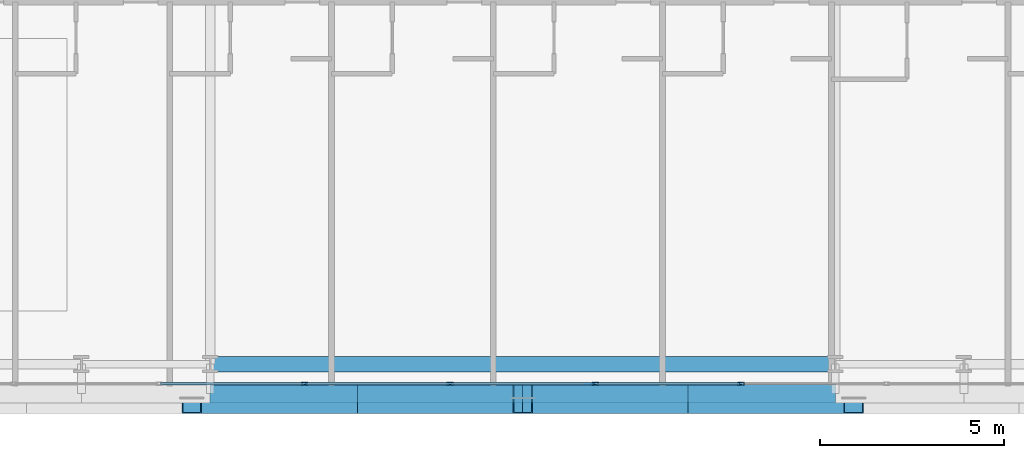
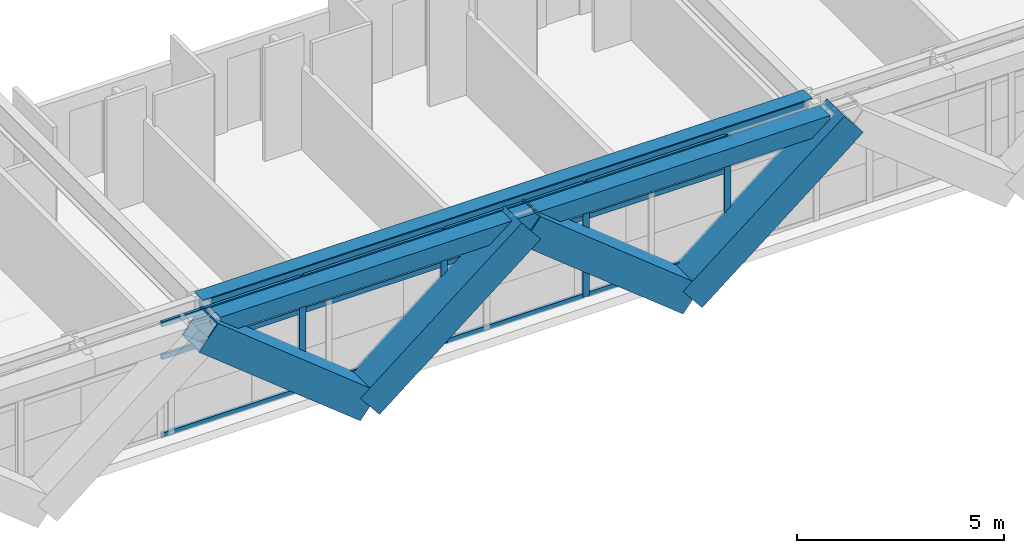
# One storey, part 5 of 41: 20 members, 2 beams, 1 element without a shape of its own.
"""IFC4 building model written with IfcOpenShell, lengths in metres."""

from ifc_helpers import new_model, si_unit, direction, frame, origin, origin_2d, place, context, subcontext, project, spatial, hollow_rectangle, i_section, extrude, source, transform, mapped, material, layer, layer_set, material_profile, profile_set, type_object, element, aggregate, save


model = new_model("IFC4")

# Units and contexts
model_context = context("Model", 3, precision=1e-05, world=origin(), true_north=direction((0.0, 1.0)))
body_context = subcontext(model_context, "Body", "Model", "MODEL_VIEW")
ifc_project = project(units=[si_unit("LENGTHUNIT", "METRE"), si_unit("AREAUNIT", "SQUARE_METRE"), si_unit("VOLUMEUNIT", "CUBIC_METRE"), si_unit("PLANEANGLEUNIT", "RADIAN"), si_unit("MASSUNIT", "GRAM", prefix="KILO")], contexts=[model_context])

# Site, building, storey
site_placement = place(None, origin())
site = spatial("IfcSite", under=ifc_project, at=site_placement, CompositionType="ELEMENT")
building_placement = place(site_placement, origin())
building = spatial("IfcBuilding", under=site, at=building_placement, Name="Ocotamira Hotel", CompositionType="ELEMENT")
storey_placement = place(building_placement, frame((0.0, 0.0, 38.39990234375)))
storey = spatial("IfcBuildingStorey", under=building, at=storey_placement, Name="L08", CompositionType="ELEMENT", Elevation=38.39990234375)

# Beams
ifc_material_1 = material(Name="Steel ASTM A992 Grade 50", Category="steel")
ifc_material_profile_1 = material_profile(ifc_material_1, i_section(OverallWidth=0.41796875, OverallDepth=0.927001953125, WebThickness=0.019287109375, FlangeThickness=0.031982421875, FilletRadius=0.02392578125, at=origin_2d()), Name="W36X231")
ifc_profile_set_1 = profile_set([ifc_material_profile_1], Name="Steel ASTM A992 Grade 50")
beam_type_1 = type_object("IfcBeamType", Name="BM-GIRD-W36X231", PredefinedType="BEAM", material=ifc_profile_set_1)
shared_shape_1 = source(origin(), body_context, "Body", "SweptSolid", [
    extrude(i_section(OverallWidth=0.41796875, OverallDepth=0.927001953125, WebThickness=0.019287109375, FlangeThickness=0.031982421875, FilletRadius=0.02392578125, at=origin_2d()), origin(), (0.0, 0.0, 1.0), 17.0),
])
beam_1_placement = place(storey_placement, frame((23.5, 2.949951171875, 2.88671875), z_axis=(1.0, 0.0, 0.0), x_axis=(0.0, 1.0, 0.0)))
element("IfcBeam", 1, at=beam_1_placement, inside=storey, type_object=beam_type_1, Name="L08 Girder Y2.95 X23.5-40.5", PredefinedType="BEAM", context=body_context, shape_type="MappedRepresentation", body=[
    mapped(shared_shape_1, transform((0.0, 0.0, 0.0), scale=1.0)),
])
ifc_material_2 = material(Name="Steel ASTM A500 Grade C", Category="steel")
ifc_material_profile_2 = material_profile(ifc_material_2, hollow_rectangle(XDim=0.5, YDim=0.5, WallThickness=0.02001953125, at=origin_2d()), Name="HSS500X500X20")
ifc_profile_set_2 = profile_set([ifc_material_profile_2], Name="Steel ASTM A500 Grade C")
beam_type_2 = type_object("IfcBeamType", Name="BM-SPAN-HSS500", PredefinedType="USERDEFINED", material=ifc_profile_set_2)
shared_shape_2 = source(origin(), body_context, "Body", "SweptSolid", [
    extrude(hollow_rectangle(XDim=0.5, YDim=0.5, WallThickness=0.02001953125, at=origin_2d()), origin(), (0.0, 0.0, 1.0), 17.0),
])
beam_2_placement = place(storey_placement, frame((23.5, 2.14990234375, 3.10009765625), z_axis=(1.0, 0.0, 0.0), x_axis=(0.0, 1.0, 0.0)))
element("IfcBeam", 2, at=beam_2_placement, inside=storey, type_object=beam_type_2, Name="L08 Edge Spandrel S X23.5-40.5", ObjectType="SPANDREL", PredefinedType="USERDEFINED", context=body_context, shape_type="MappedRepresentation", body=[
    mapped(shared_shape_2, transform((0.0, 0.0, 0.0), scale=1.0)),
])

# Members
ifc_material_3 = material(Name="Pale-metal coated steel ASTM A913 Grade 65", Category="steel")
ifc_material_profile_3 = material_profile(ifc_material_3, hollow_rectangle(XDim=0.85009765625, YDim=0.85009765625, WallThickness=0.035888671875, at=origin_2d()), Name="BOX850X850X36")
ifc_profile_set_3 = profile_set([ifc_material_profile_3], Name="Pale-metal coated steel ASTM A913 Grade 65")
member_type_1 = type_object("IfcMemberType", Name="MEM-EXO-BOX850", PredefinedType="BRACE", material=ifc_profile_set_3)
shared_shape_3 = source(origin(), body_context, "Body", "SweptSolid", [
    extrude(hollow_rectangle(XDim=0.85009765625, YDim=0.85009765625, WallThickness=0.035888671875, at=origin_2d()), origin(), (0.0, 0.0, 1.0), 5.762939453125),
])
for number, where, z_axis, x_axis, name in (
    (3, (27.5, 2.030029296875, -0.5), (-0.780860543151, 0.0, 0.624705380279), (0.0, -1.0, 0.0), "L08 Exoskeleton Diagrid S1.1"),
    (4, (27.5, 2.030029296875, -0.5), (0.780860543151, 0.0, 0.624705380279), (0.0, 1.0, 0.0), "L08 Exoskeleton Diagrid S1.2"),
    (5, (36.5, 2.030029296875, -0.5), (-0.780860543151, 0.0, 0.624705380279), (0.0, -1.0, 0.0), "L08 Exoskeleton Diagrid S2.1"),
    (6, (36.5, 2.030029296875, -0.5), (0.780860543151, 0.0, 0.624705380279), (0.0, 1.0, 0.0), "L08 Exoskeleton Diagrid S2.2"),
):
    element("IfcMember", number, at=place(storey_placement, frame(where, z_axis=z_axis, x_axis=x_axis)), inside=storey, type_object=member_type_1, Name=name, PredefinedType="BRACE", context=body_context, shape_type="MappedRepresentation", body=[
        mapped(shared_shape_3, transform((0.0, 0.0, 0.0), scale=1.0)),
    ])

# Curtain wall, members
ifc_material_4 = material(Name="Anodised pale-metal aluminium and solar glass", Category="aluminium")
ifc_layer = layer(ifc_material_4, 0.179931640625)
ifc_layer_set = layer_set([ifc_layer], Name="Anodised pale-metal aluminium and solar glass")
curtain_wall_type = type_object("IfcCurtainWallType", Name="CW-SYS2-Z1", PredefinedType="NOTDEFINED", material=ifc_layer_set)
curtain_wall_placement = place(storey_placement, origin())
curtain_wall = element("IfcCurtainWall", 7, at=curtain_wall_placement, inside=storey, type_object=curtain_wall_type, Name="L08 Curtain Wall CW-2 CW-L08-S1", PredefinedType="NOTDEFINED")
ifc_material_5 = material(Name="Anodised pale-metal aluminium 6063-T6", Category="aluminium")
ifc_material_profile_4 = material_profile(ifc_material_5, hollow_rectangle(XDim=0.074951171875, YDim=0.14990234375, WallThickness=0.006103515625, at=origin_2d()), Name="HSS150X75X6")
ifc_profile_set_4 = profile_set([ifc_material_profile_4], Name="Anodised pale-metal aluminium 6063-T6")
member_type_2 = type_object("IfcMemberType", Name="CWT-150X75", PredefinedType="USERDEFINED", material=ifc_profile_set_4)
shared_shape_4 = source(origin(), body_context, "Body", "SweptSolid", [
    extrude(hollow_rectangle(XDim=0.074951171875, YDim=0.14990234375, WallThickness=0.006103515625, at=origin_2d()), origin(), (0.0, 0.0, 1.0), 3.87548828125),
])
member_1_placement = place(storey_placement, frame((22.151123046875, 2.419921875, 0.03759765625), z_axis=(1.0, 0.0, 0.0), x_axis=(0.0, 1.0, 0.0)))
member_1 = element("IfcMember", 8, at=member_1_placement, type_object=member_type_2, Name="CW-2 transom 3.1", ObjectType="TRANSOM", PredefinedType="USERDEFINED", context=body_context, shape_type="MappedRepresentation", body=[
    mapped(shared_shape_4, transform((0.0, 0.0, 0.0), scale=1.0)),
])
member_2_placement = place(storey_placement, frame((22.151123046875, 2.419921875, 2.35009765625), z_axis=(1.0, 0.0, 0.0), x_axis=(0.0, 1.0, 0.0)))
member_2 = element("IfcMember", 9, at=member_2_placement, type_object=member_type_2, Name="CW-2 transom 3.2", ObjectType="TRANSOM", PredefinedType="USERDEFINED", context=body_context, shape_type="MappedRepresentation", body=[
    mapped(shared_shape_4, transform((0.0, 0.0, 0.0), scale=1.0)),
])
member_3_placement = place(storey_placement, frame((22.151123046875, 2.419921875, 3.3125), z_axis=(1.0, 0.0, 0.0), x_axis=(0.0, 1.0, 0.0)))
member_3 = element("IfcMember", 10, at=member_3_placement, type_object=member_type_2, Name="CW-2 transom 3.3", ObjectType="TRANSOM", PredefinedType="USERDEFINED", context=body_context, shape_type="MappedRepresentation", body=[
    mapped(shared_shape_4, transform((0.0, 0.0, 0.0), scale=1.0)),
])
member_4_placement = place(storey_placement, frame((26.106689453125, 2.419921875, 0.03759765625), z_axis=(1.0, 0.0, 0.0), x_axis=(0.0, 1.0, 0.0)))
member_4 = element("IfcMember", 11, at=member_4_placement, type_object=member_type_2, Name="CW-2 transom 4.1", ObjectType="TRANSOM", PredefinedType="USERDEFINED", context=body_context, shape_type="MappedRepresentation", body=[
    mapped(shared_shape_4, transform((0.0, 0.0, 0.0), scale=1.0)),
])
member_5_placement = place(storey_placement, frame((26.106689453125, 2.419921875, 2.35009765625), z_axis=(1.0, 0.0, 0.0), x_axis=(0.0, 1.0, 0.0)))
member_5 = element("IfcMember", 12, at=member_5_placement, type_object=member_type_2, Name="CW-2 transom 4.2", ObjectType="TRANSOM", PredefinedType="USERDEFINED", context=body_context, shape_type="MappedRepresentation", body=[
    mapped(shared_shape_4, transform((0.0, 0.0, 0.0), scale=1.0)),
])
member_6_placement = place(storey_placement, frame((26.106689453125, 2.419921875, 3.3125), z_axis=(1.0, 0.0, 0.0), x_axis=(0.0, 1.0, 0.0)))
member_6 = element("IfcMember", 13, at=member_6_placement, type_object=member_type_2, Name="CW-2 transom 4.3", ObjectType="TRANSOM", PredefinedType="USERDEFINED", context=body_context, shape_type="MappedRepresentation", body=[
    mapped(shared_shape_4, transform((0.0, 0.0, 0.0), scale=1.0)),
])
member_7_placement = place(storey_placement, frame((30.062255859375, 2.419921875, 0.03759765625), z_axis=(1.0, 0.0, 0.0), x_axis=(0.0, 1.0, 0.0)))
member_7 = element("IfcMember", 14, at=member_7_placement, type_object=member_type_2, Name="CW-2 transom 5.1", ObjectType="TRANSOM", PredefinedType="USERDEFINED", context=body_context, shape_type="MappedRepresentation", body=[
    mapped(shared_shape_4, transform((0.0, 0.0, 0.0), scale=1.0)),
])
member_8_placement = place(storey_placement, frame((30.062255859375, 2.419921875, 2.35009765625), z_axis=(1.0, 0.0, 0.0), x_axis=(0.0, 1.0, 0.0)))
member_8 = element("IfcMember", 15, at=member_8_placement, type_object=member_type_2, Name="CW-2 transom 5.2", ObjectType="TRANSOM", PredefinedType="USERDEFINED", context=body_context, shape_type="MappedRepresentation", body=[
    mapped(shared_shape_4, transform((0.0, 0.0, 0.0), scale=1.0)),
])
member_9_placement = place(storey_placement, frame((30.062255859375, 2.419921875, 3.3125), z_axis=(1.0, 0.0, 0.0), x_axis=(0.0, 1.0, 0.0)))
member_9 = element("IfcMember", 16, at=member_9_placement, type_object=member_type_2, Name="CW-2 transom 5.3", ObjectType="TRANSOM", PredefinedType="USERDEFINED", context=body_context, shape_type="MappedRepresentation", body=[
    mapped(shared_shape_4, transform((0.0, 0.0, 0.0), scale=1.0)),
])
member_10_placement = place(storey_placement, frame((34.017822265625, 2.419921875, 0.03759765625), z_axis=(1.0, 0.0, 0.0), x_axis=(0.0, 1.0, 0.0)))
member_10 = element("IfcMember", 17, at=member_10_placement, type_object=member_type_2, Name="CW-2 transom 6.1", ObjectType="TRANSOM", PredefinedType="USERDEFINED", context=body_context, shape_type="MappedRepresentation", body=[
    mapped(shared_shape_4, transform((0.0, 0.0, 0.0), scale=1.0)),
])
member_11_placement = place(storey_placement, frame((34.017822265625, 2.419921875, 2.35009765625), z_axis=(1.0, 0.0, 0.0), x_axis=(0.0, 1.0, 0.0)))
member_11 = element("IfcMember", 18, at=member_11_placement, type_object=member_type_2, Name="CW-2 transom 6.2", ObjectType="TRANSOM", PredefinedType="USERDEFINED", context=body_context, shape_type="MappedRepresentation", body=[
    mapped(shared_shape_4, transform((0.0, 0.0, 0.0), scale=1.0)),
])
member_12_placement = place(storey_placement, frame((34.017822265625, 2.419921875, 3.3125), z_axis=(1.0, 0.0, 0.0), x_axis=(0.0, 1.0, 0.0)))
member_12 = element("IfcMember", 19, at=member_12_placement, type_object=member_type_2, Name="CW-2 transom 6.3", ObjectType="TRANSOM", PredefinedType="USERDEFINED", context=body_context, shape_type="MappedRepresentation", body=[
    mapped(shared_shape_4, transform((0.0, 0.0, 0.0), scale=1.0)),
])
ifc_material_profile_5 = material_profile(ifc_material_5, hollow_rectangle(XDim=0.080078125, YDim=0.179931640625, WallThickness=0.006103515625, at=origin_2d()), Name="HSS180X80X6")
ifc_profile_set_5 = profile_set([ifc_material_profile_5], Name="Anodised pale-metal aluminium 6063-T6")
member_type_3 = type_object("IfcMemberType", Name="CWM-180X75", PredefinedType="MULLION", material=ifc_profile_set_5)
shared_shape_5 = source(origin(), body_context, "Body", "SweptSolid", [
    extrude(hollow_rectangle(XDim=0.080078125, YDim=0.179931640625, WallThickness=0.006103515625, at=origin_2d()), origin(), (0.0, 0.0, 1.0), 3.35009765625),
])
member_13_placement = place(storey_placement, frame((26.066650390625, 2.419921875, 0.0), z_axis=(0.0, 0.0, 1.0), x_axis=(0.0, 1.0, 0.0)))
member_13 = element("IfcMember", 20, at=member_13_placement, type_object=member_type_3, Name="CW-2 mullion 4", PredefinedType="MULLION", context=body_context, shape_type="MappedRepresentation", body=[
    mapped(shared_shape_5, transform((0.0, 0.0, 0.0), scale=1.0)),
])
member_14_placement = place(storey_placement, frame((30.022216796875, 2.419921875, 0.0), z_axis=(0.0, 0.0, 1.0), x_axis=(0.0, 1.0, 0.0)))
member_14 = element("IfcMember", 21, at=member_14_placement, type_object=member_type_3, Name="CW-2 mullion 5", PredefinedType="MULLION", context=body_context, shape_type="MappedRepresentation", body=[
    mapped(shared_shape_5, transform((0.0, 0.0, 0.0), scale=1.0)),
])
member_15_placement = place(storey_placement, frame((33.977783203125, 2.419921875, 0.0), z_axis=(0.0, 0.0, 1.0), x_axis=(0.0, 1.0, 0.0)))
member_15 = element("IfcMember", 22, at=member_15_placement, type_object=member_type_3, Name="CW-2 mullion 6", PredefinedType="MULLION", context=body_context, shape_type="MappedRepresentation", body=[
    mapped(shared_shape_5, transform((0.0, 0.0, 0.0), scale=1.0)),
])
member_16_placement = place(storey_placement, frame((37.933349609375, 2.419921875, 0.0), z_axis=(0.0, 0.0, 1.0), x_axis=(0.0, 1.0, 0.0)))
member_16 = element("IfcMember", 23, at=member_16_placement, type_object=member_type_3, Name="CW-2 mullion 7", PredefinedType="MULLION", context=body_context, shape_type="MappedRepresentation", body=[
    mapped(shared_shape_5, transform((0.0, 0.0, 0.0), scale=1.0)),
])
aggregate(curtain_wall, [member_13, member_14, member_15, member_16, member_1, member_2, member_3, member_4, member_5, member_6, member_7, member_8, member_9, member_10, member_11, member_12])

save(model, "model.ifc")
